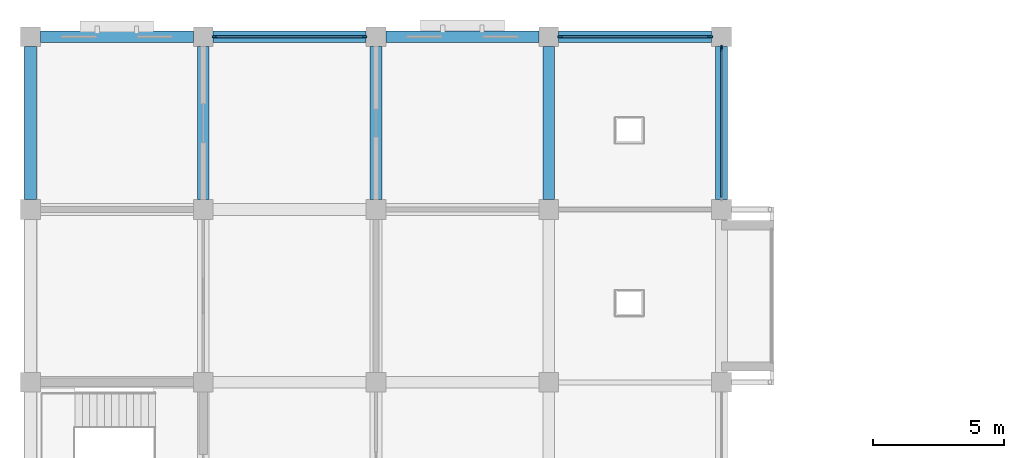
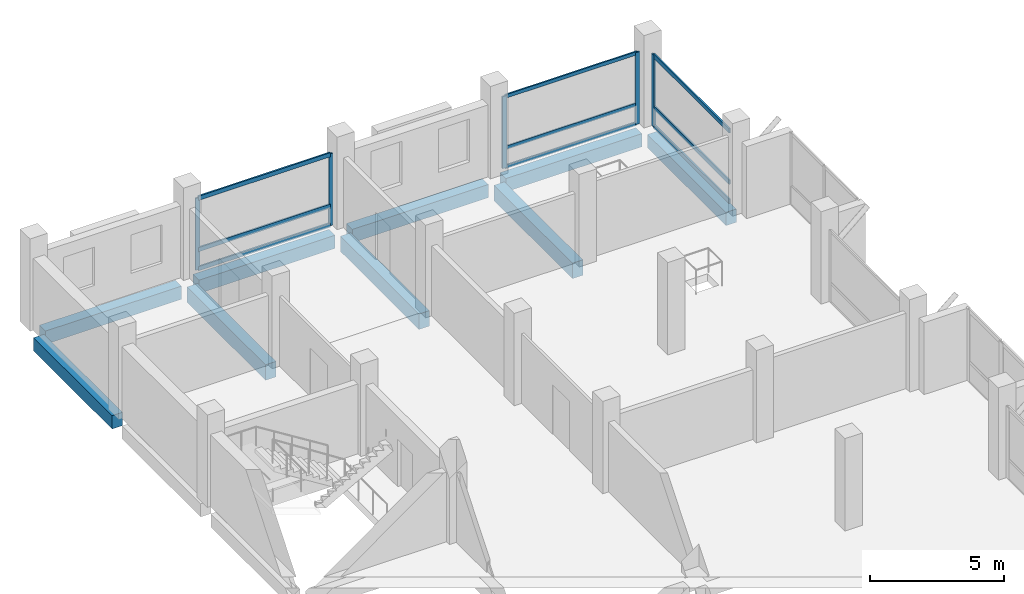
# One storey, part 7 of 18: 14 members, 9 beams, 3 elements without a shape of their own.
"""IFC4 building model written with IfcOpenShell, lengths in metres."""

import ifcopenshell
import ifcopenshell.guid

model = None  # the IFC model being written
_history = None  # IfcOwnerHistory: only IFC2X3 demands one
_inside = {}  # id of a spatial element -> (the spatial element, [elements in it])
_under = {}  # id of a project, library or spatial element -> (it, [spatial elements below it])
_declared = {}  # id of a project -> (the project, [libraries it declares])
_typed = {}  # id of a type object -> (the type object, [elements of that type])
_made_of = {}  # id of a material, layer set ... -> (it, [elements and type objects made of it])


def new_model(schema):
    """Start an empty IFC model of exactly this schema.

    Asked for "IFC4X3", IfcOpenShell would pick the latest addendum, in which some entities
    have other attributes; the version numbers below select the first issue.
    IFC2X3 requires an IfcOwnerHistory on every rooted entity: one is made here for all.
    """
    global model, _history
    if schema == "IFC4X3":
        model = ifcopenshell.file(schema_version=(4, 3, 0, 0))
    else:
        model = ifcopenshell.file(schema=schema)
    _inside.clear()
    _under.clear()
    _declared.clear()
    _typed.clear()
    _made_of.clear()
    _history = None
    if model.schema == "IFC2X3":
        org = make("IfcOrganization", Name="unknown")
        user = make(
            "IfcPersonAndOrganization",
            ThePerson=make("IfcPerson", FamilyName="unknown"),
            TheOrganization=org,
        )
        app = make(
            "IfcApplication",
            ApplicationDeveloper=org,
            Version="unknown",
            ApplicationFullName="unknown",
            ApplicationIdentifier="unknown",
        )
        _history = make(
            "IfcOwnerHistory",
            OwningUser=user,
            OwningApplication=app,
            ChangeAction="ADDED",
            CreationDate=0,
        )
    return model


def make(cls, **values):
    """One entity of the class cls with the attributes given. An attribute that is None is left unset."""
    return model.create_entity(
        cls, **{name: value for name, value in values.items() if value is not None}
    )


def rooted(cls, **values):
    """An entity with a GlobalId (a new one), such as an element, a storey or a relation."""
    return make(cls, GlobalId=ifcopenshell.guid.new(), OwnerHistory=_history, **values)


def si_unit(unit_type, name, prefix=None):
    """IfcSIUnit, for example si_unit("LENGTHUNIT", "METRE", prefix="MILLI")."""
    return make("IfcSIUnit", UnitType=unit_type, Prefix=prefix, Name=name)


def assignment(units):
    """IfcUnitAssignment: the units of a project."""
    return None if units is None else make("IfcUnitAssignment", Units=units)


def point(xyz):
    """IfcCartesianPoint."""
    return None if xyz is None else make("IfcCartesianPoint", Coordinates=xyz)


def direction(xyz):
    """IfcDirection."""
    return None if xyz is None else make("IfcDirection", DirectionRatios=xyz)


def frame(location, z_axis=None, x_axis=None):
    """IfcAxis2Placement3D, a coordinate frame: its origin and axes. An axis left out is left unset."""
    return make(
        "IfcAxis2Placement3D",
        Location=point(location),
        Axis=direction(z_axis),
        RefDirection=direction(x_axis),
    )


def frame_2d(location, x_axis=None):
    """IfcAxis2Placement2D, a coordinate frame in the plane: its origin and x axis."""
    return make(
        "IfcAxis2Placement2D", Location=point(location), RefDirection=direction(x_axis)
    )


def origin():
    """The frame at (0, 0, 0) with its axes left unset."""
    return frame((0.0, 0.0, 0.0))


def origin_2d():
    """The frame at (0, 0) in the plane with its x axis left unset."""
    return frame_2d((0.0, 0.0))


def place(relative_to, where):
    """IfcLocalPlacement: puts the frame where relative to a parent placement (None: the world)."""
    return make(
        "IfcLocalPlacement", PlacementRelTo=relative_to, RelativePlacement=where
    )


def context(
    kind, dimensions, precision=None, world=None, true_north=None, identifier=None
):
    """IfcGeometricRepresentationContext, for example the 3D "Model" context."""
    return make(
        "IfcGeometricRepresentationContext",
        ContextIdentifier=identifier,
        ContextType=kind,
        CoordinateSpaceDimension=dimensions,
        Precision=precision,
        WorldCoordinateSystem=world,
        TrueNorth=true_north,
    )


def subcontext(parent, identifier, kind, view, scale=None):
    """IfcGeometricRepresentationSubContext, for example "Body" below "Model"."""
    return make(
        "IfcGeometricRepresentationSubContext",
        ContextIdentifier=identifier,
        ContextType=kind,
        ParentContext=parent,
        TargetScale=scale,
        TargetView=view,
    )


def project(units=None, contexts=None):
    """IfcProject with its units and contexts."""
    return rooted(
        "IfcProject",
        Name="project",
        RepresentationContexts=contexts,
        UnitsInContext=assignment(units),
    )


def spatial(cls, under=None, at=None, **own):
    """A site, building, storey or space (cls), placed at a placement, below another one or the project."""
    s = rooted(cls, ObjectPlacement=at, **own)
    if under is not None:
        _under.setdefault(under.id(), (under, []))[1].append(s)
    return s


def profile(cls, at=None, kind="AREA", **sizes):
    """A parametric profile (cls). Its sizes go by their IFC names, for example OverallWidth=200.0."""
    return make(cls, ProfileType=kind, Position=at, **sizes)


def rectangle(**sizes):
    """IfcRectangleProfileDef."""
    return profile("IfcRectangleProfileDef", **sizes)


def extrude(swept, where, along, depth):
    """IfcExtrudedAreaSolid: the profile swept, set in the frame where, extruded along a direction by depth."""
    return make(
        "IfcExtrudedAreaSolid",
        SweptArea=swept,
        Position=where,
        ExtrudedDirection=direction(along),
        Depth=depth,
    )


def shape(context_of_items, identifier, shape_type, items):
    """IfcShapeRepresentation: the items that make up one representation, for example the "Body"."""
    return make(
        "IfcShapeRepresentation",
        ContextOfItems=context_of_items,
        RepresentationIdentifier=identifier,
        RepresentationType=shape_type,
        Items=items,
    )


def material(Name=None, Category=None):
    """IfcMaterial."""
    return make("IfcMaterial", Name=Name, Category=Category)


def material_profile(
    of_material, cross_section, Name=None, Category=None, Priority=None
):
    """IfcMaterialProfile: a cross section and its material."""
    return make(
        "IfcMaterialProfile",
        Name=Name,
        Material=of_material,
        Profile=cross_section,
        Priority=Priority,
        Category=Category,
    )


def profile_set(profiles, Name=None, composite=None):
    """IfcMaterialProfileSet."""
    return make(
        "IfcMaterialProfileSet",
        Name=Name,
        MaterialProfiles=profiles,
        CompositeProfile=composite,
    )


def made_of(thing, what):
    """Note that an element or type object is made of a material, layer set ...; save() writes the relation."""
    if what is not None:
        _made_of.setdefault(what.id(), (what, []))[1].append(thing)
    return thing


def type_object(cls, material=None, **own):
    """A type object (cls), such as IfcWallType, which elements share."""
    return made_of(rooted(cls, **own), material)


def element(
    cls,
    number,
    at=None,
    inside=None,
    cuts=None,
    type_object=None,
    material=None,
    context=None,
    identifier="Body",
    shape_type=None,
    held_by="IfcProductDefinitionShape",
    body=None,
    shapes=None,
    **own,
):
    """One element of the class cls, such as IfcWall. Its Tag is "e" and its number.

    at: its placement. inside: the storey or other place that contains it. cuts: it is an
    opening in that element (IfcRelVoidsElement). A single representation is given by context,
    identifier, shape_type and body (its items); several are given by shapes. held_by: the class
    of the entity that holds the representations. save() writes the other relations.
    """
    e = rooted(cls, Tag="e%d" % number, ObjectPlacement=at, **own)
    if body is not None:
        shapes = [shape(context, identifier, shape_type, body)]
    if shapes is not None:
        e.Representation = make(held_by, Representations=shapes)
    if inside is not None:
        _inside.setdefault(inside.id(), (inside, []))[1].append(e)
    if cuts is not None:
        rooted(
            "IfcRelVoidsElement", RelatingBuildingElement=cuts, RelatedOpeningElement=e
        )
    if type_object is not None:
        _typed.setdefault(type_object.id(), (type_object, []))[1].append(e)
    return made_of(e, material)


def aggregate(whole, parts):
    """IfcRelAggregates: a whole, such as a stair, and the parts it consists of."""
    return rooted("IfcRelAggregates", RelatingObject=whole, RelatedObjects=parts)


def save(model, path):
    """Write the relations noted so far, then the file.

    IfcRelAggregates (storeys below a building ...), IfcRelContainedInSpatialStructure (elements
    in a storey), IfcRelDefinesByType, IfcRelAssociatesMaterial and IfcRelDeclares: one each for
    every whole, place, type object, material and project.
    """
    for whole, parts in _under.values():
        aggregate(whole, parts)
    for where, things in _inside.values():
        rooted(
            "IfcRelContainedInSpatialStructure",
            RelatedElements=things,
            RelatingStructure=where,
        )
    for kind, things in _typed.values():
        rooted("IfcRelDefinesByType", RelatedObjects=things, RelatingType=kind)
    for what, things in _made_of.values():
        rooted("IfcRelAssociatesMaterial", RelatedObjects=things, RelatingMaterial=what)
    for by, libraries in _declared.values():
        rooted("IfcRelDeclares", RelatingContext=by, RelatedDefinitions=libraries)
    model.write(path)


model = new_model("IFC4")

# Units and contexts
model_context = context("Model", 3, precision=1e-05, world=origin(), true_north=direction((0.0, 1.0)))
body_context = subcontext(model_context, "Body", "Model", "MODEL_VIEW")
ifc_project = project(units=[si_unit("LENGTHUNIT", "METRE"), si_unit("AREAUNIT", "SQUARE_METRE"), si_unit("VOLUMEUNIT", "CUBIC_METRE"), si_unit("PLANEANGLEUNIT", "RADIAN"), si_unit("MASSUNIT", "GRAM", prefix="KILO")], contexts=[model_context])

# Site, building, storey
site_placement = place(None, origin())
site = spatial("IfcSite", under=ifc_project, at=site_placement, CompositionType="ELEMENT")
building_placement = place(site_placement, origin())
building = spatial("IfcBuilding", under=site, at=building_placement, Name="Rusizi Kubbe Research Institute", CompositionType="ELEMENT")
storey_placement = place(building_placement, frame((0.0, 0.0, 22.800048828125)))
storey = spatial("IfcBuildingStorey", under=building, at=storey_placement, Name="L05", CompositionType="ELEMENT", Elevation=22.800048828125)

# Beams
ifc_material_1 = material(Name="Concrete C40/50", Category="concrete")
ifc_material_profile_1 = material_profile(ifc_material_1, rectangle(XDim=0.449951171875, YDim=0.60009765625, at=origin_2d()), Name="RC450x600")
ifc_profile_set_1 = profile_set([ifc_material_profile_1], Name="Concrete C40/50")
beam_type_1 = type_object("IfcBeamType", Name="BM-RC450x600", PredefinedType="SPANDREL", material=ifc_profile_set_1)
beam_1_placement = place(storey_placement, frame((0.375, 85.800048828125, -0.64013671875), z_axis=(1.0, 0.0, 0.0), x_axis=(0.0, 1.0, 0.0)))
element("IfcBeam", 1, at=beam_1_placement, inside=storey, type_object=beam_type_1, Name="Grid Beam H L05 (0,13)", PredefinedType="SPANDREL", context=body_context, shape_type="SweptSolid", body=[
    extrude(rectangle(XDim=0.449951171875, YDim=0.60009765625, at=origin_2d()), origin(), (0.0, 0.0, 1.0), 5.85009765625),
])
beam_2_placement = place(storey_placement, frame((6.97509765625, 85.800048828125, -0.64013671875), z_axis=(1.0, 0.0, 0.0), x_axis=(0.0, 1.0, 0.0)))
element("IfcBeam", 2, at=beam_2_placement, inside=storey, type_object=beam_type_1, Name="Grid Beam H L05 (1,13)", PredefinedType="SPANDREL", context=body_context, shape_type="SweptSolid", body=[
    extrude(rectangle(XDim=0.449951171875, YDim=0.60009765625, at=origin_2d()), origin(), (0.0, 0.0, 1.0), 5.849853515625),
])
beam_3_placement = place(storey_placement, frame((13.574951171875, 85.800048828125, -0.64013671875), z_axis=(1.0, 0.0, 0.0), x_axis=(0.0, 1.0, 0.0)))
element("IfcBeam", 3, at=beam_3_placement, inside=storey, type_object=beam_type_1, Name="Grid Beam H L05 (2,13)", PredefinedType="SPANDREL", context=body_context, shape_type="SweptSolid", body=[
    extrude(rectangle(XDim=0.449951171875, YDim=0.60009765625, at=origin_2d()), origin(), (0.0, 0.0, 1.0), 5.85009765625),
])
beam_4_placement = place(storey_placement, frame((20.175048828125, 85.800048828125, -0.64013671875), z_axis=(1.0, 0.0, 0.0), x_axis=(0.0, 1.0, 0.0)))
element("IfcBeam", 4, at=beam_4_placement, inside=storey, type_object=beam_type_1, Name="Grid Beam H L05 (3,13)", PredefinedType="SPANDREL", context=body_context, shape_type="SweptSolid", body=[
    extrude(rectangle(XDim=0.449951171875, YDim=0.60009765625, at=origin_2d()), origin(), (0.0, 0.0, 1.0), 5.849853515625),
])
for number, where, z_axis, x_axis, name in (
    (5, (0.0, 79.574951171875, -0.64013671875), (0.0, 1.0, 0.0), (-1.0, 0.0, 0.0), "Grid Beam V L05 (0,12)"),
    (6, (26.39990234375, 79.574951171875, -0.64013671875), (0.0, 1.0, 0.0), (-1.0, 0.0, 0.0), "Grid Beam V L05 (4,12)"),
):
    element("IfcBeam", number, at=place(storey_placement, frame(where, z_axis=z_axis, x_axis=x_axis)), inside=storey, type_object=beam_type_1, Name=name, PredefinedType="SPANDREL", context=body_context, shape_type="SweptSolid", body=[
        extrude(rectangle(XDim=0.449951171875, YDim=0.60009765625, at=origin_2d()), origin(), (0.0, 0.0, 1.0), 5.85009765625),
    ])
ifc_material_2 = material(Name="Concrete C40/50", Category="concrete")
ifc_material_profile_2 = material_profile(ifc_material_2, rectangle(XDim=0.449951171875, YDim=0.699951171875, at=origin_2d()), Name="RC450x700B")
ifc_profile_set_2 = profile_set([ifc_material_profile_2], Name="Concrete C40/50")
beam_type_2 = type_object("IfcBeamType", Name="BM-RC450x700", PredefinedType="BEAM", material=ifc_profile_set_2)
for number, where, z_axis, x_axis, name in (
    (7, (6.60009765625, 79.574951171875, -0.68994140625), (0.0, 1.0, 0.0), (-1.0, 0.0, 0.0), "Grid Beam V L05 (1,12)"),
    (8, (13.199951171875, 79.574951171875, -0.68994140625), (0.0, 1.0, 0.0), (-1.0, 0.0, 0.0), "Grid Beam V L05 (2,12)"),
    (9, (19.800048828125, 79.574951171875, -0.68994140625), (0.0, 1.0, 0.0), (-1.0, 0.0, 0.0), "Grid Beam V L05 (3,12)"),
):
    element("IfcBeam", number, at=place(storey_placement, frame(where, z_axis=z_axis, x_axis=x_axis)), inside=storey, type_object=beam_type_2, Name=name, PredefinedType="BEAM", context=body_context, shape_type="SweptSolid", body=[
        extrude(rectangle(XDim=0.449951171875, YDim=0.699951171875, at=origin_2d()), origin(), (0.0, 0.0, 1.0), 5.85009765625),
    ])

# Curtain wall, members
ifc_material_3 = material(Name="Thermally Broken Aluminium and Low-E Glazing", Category="aluminium")
curtain_wall_type_1 = type_object("IfcCurtainWallType", Name="CW-08", PredefinedType="NOTDEFINED", material=ifc_material_3)
curtain_wall_1_placement = place(storey_placement, origin())
curtain_wall_1 = element("IfcCurtainWall", 10, at=curtain_wall_1_placement, inside=storey, type_object=curtain_wall_type_1, Name="Unitised Facade Curtain Wall CW-L05-H-01-13", PredefinedType="NOTDEFINED")
ifc_material_4 = material(Name="Aluminium Alloy 6063-T6", Category="aluminium")
ifc_material_profile_3 = material_profile(ifc_material_4, rectangle(XDim=0.06005859375, YDim=0.179931640625, at=origin_2d()), Name="ALU-M 60x180")
ifc_profile_set_3 = profile_set([ifc_material_profile_3], Name="Aluminium Alloy 6063-T6")
member_type_1 = type_object("IfcMemberType", Name="ML-02", PredefinedType="MULLION", material=ifc_profile_set_3)
member_1_placement = place(storey_placement, frame((7.034912109375, 85.800048828125, 0.0), z_axis=(0.0, 0.0, 1.0), x_axis=(0.0, 1.0, 0.0)))
member_1 = element("IfcMember", 11, at=member_1_placement, type_object=member_type_1, Name="CW-08 mullion 1", PredefinedType="MULLION", context=body_context, shape_type="SweptSolid", body=[
    extrude(rectangle(XDim=0.06005859375, YDim=0.179931640625, at=origin_2d()), origin(), (0.0, 0.0, 1.0), 3.27001953125),
])
member_2_placement = place(storey_placement, frame((12.764892578125, 85.800048828125, 0.0), z_axis=(0.0, 0.0, 1.0), x_axis=(0.0, 1.0, 0.0)))
member_2 = element("IfcMember", 12, at=member_2_placement, type_object=member_type_1, Name="CW-08 mullion 2", PredefinedType="MULLION", context=body_context, shape_type="SweptSolid", body=[
    extrude(rectangle(XDim=0.06005859375, YDim=0.179931640625, at=origin_2d()), origin(), (0.0, 0.0, 1.0), 3.27001953125),
])

ifc_material_5 = material(Name="Thermally Broken Aluminium and Low-E Glazing", Category="aluminium")
curtain_wall_type_2 = type_object("IfcCurtainWallType", Name="CW-09", PredefinedType="NOTDEFINED", material=ifc_material_5)
curtain_wall_2_placement = place(storey_placement, origin())
curtain_wall_2 = element("IfcCurtainWall", 13, at=curtain_wall_2_placement, inside=storey, type_object=curtain_wall_type_2, Name="Unitised Facade Curtain Wall CW-L05-H-03-13", PredefinedType="NOTDEFINED")
ifc_material_6 = material(Name="Aluminium Alloy 6063-T6", Category="aluminium")
ifc_material_profile_4 = material_profile(ifc_material_6, rectangle(XDim=0.06494140625, YDim=0.199951171875, at=origin_2d()), Name="ALU-M 65x200")
ifc_profile_set_4 = profile_set([ifc_material_profile_4], Name="Aluminium Alloy 6063-T6")
member_type_2 = type_object("IfcMemberType", Name="ML-03", PredefinedType="MULLION", material=ifc_profile_set_4)
member_3_placement = place(storey_placement, frame((20.237548828125, 85.800048828125, 0.0), z_axis=(0.0, 0.0, 1.0), x_axis=(0.0, 1.0, 0.0)))
member_3 = element("IfcMember", 14, at=member_3_placement, type_object=member_type_2, Name="CW-09 mullion 1", PredefinedType="MULLION", context=body_context, shape_type="SweptSolid", body=[
    extrude(rectangle(XDim=0.06494140625, YDim=0.199951171875, at=origin_2d()), origin(), (0.0, 0.0, 1.0), 3.27001953125),
])
member_4_placement = place(storey_placement, frame((25.96240234375, 85.800048828125, 0.0), z_axis=(0.0, 0.0, 1.0), x_axis=(0.0, 1.0, 0.0)))
member_4 = element("IfcMember", 15, at=member_4_placement, type_object=member_type_2, Name="CW-09 mullion 2", PredefinedType="MULLION", context=body_context, shape_type="SweptSolid", body=[
    extrude(rectangle(XDim=0.06494140625, YDim=0.199951171875, at=origin_2d()), origin(), (0.0, 0.0, 1.0), 3.27001953125),
])

# Curtain wall, member
curtain_wall_3_placement = place(storey_placement, origin())
curtain_wall_3 = element("IfcCurtainWall", 16, at=curtain_wall_3_placement, inside=storey, type_object=curtain_wall_type_1, Name="Unitised Facade Curtain Wall CW-L05-V-04-12", PredefinedType="NOTDEFINED")
ifc_material_7 = material(Name="Aluminium Alloy 6063-T6", Category="aluminium")
ifc_material_profile_5 = material_profile(ifc_material_7, rectangle(XDim=0.070068359375, YDim=0.219970703125, at=origin_2d()), Name="ALU-M 70x220")
ifc_profile_set_5 = profile_set([ifc_material_profile_5], Name="Aluminium Alloy 6063-T6")
member_type_3 = type_object("IfcMemberType", Name="ML-04", PredefinedType="MULLION", material=ifc_profile_set_5)
member_5_placement = place(storey_placement, frame((26.39990234375, 85.360107421875, 0.0), z_axis=(0.0, 0.0, 1.0), x_axis=(-1.0, 0.0, 0.0)))
member_5 = element("IfcMember", 17, at=member_5_placement, type_object=member_type_3, Name="CW-08 mullion 2", PredefinedType="MULLION", context=body_context, shape_type="SweptSolid", body=[
    extrude(rectangle(XDim=0.070068359375, YDim=0.219970703125, at=origin_2d()), origin(), (0.0, 0.0, 1.0), 3.27001953125),
])

# Member
ifc_material_8 = material(Name="Aluminium Alloy 6063-T6", Category="aluminium")
ifc_material_profile_6 = material_profile(ifc_material_8, rectangle(XDim=0.06494140625, YDim=0.159912109375, at=origin_2d()), Name="ALU-T 65x160")
ifc_profile_set_6 = profile_set([ifc_material_profile_6], Name="Aluminium Alloy 6063-T6")
member_type_4 = type_object("IfcMemberType", Name="TR-03", PredefinedType="USERDEFINED", material=ifc_profile_set_6)
member_6_placement = place(storey_placement, frame((20.27001953125, 85.800048828125, 0.032470703125), z_axis=(1.0, 0.0, 0.0), x_axis=(0.0, 1.0, 0.0)))
member_6 = element("IfcMember", 18, at=member_6_placement, type_object=member_type_4, Name="CW-09 transom 1.1", ObjectType="TRANSOM", PredefinedType="USERDEFINED", context=body_context, shape_type="SweptSolid", body=[
    extrude(rectangle(XDim=0.06494140625, YDim=0.159912109375, at=origin_2d()), origin(), (0.0, 0.0, 1.0), 5.659912109375),
])

member_7_placement = place(storey_placement, frame((20.27001953125, 85.800048828125, 0.89990234375), z_axis=(1.0, 0.0, 0.0), x_axis=(0.0, 1.0, 0.0)))
member_7 = element("IfcMember", 19, at=member_7_placement, type_object=member_type_4, Name="CW-09 transom 1.2", ObjectType="TRANSOM", PredefinedType="USERDEFINED", context=body_context, shape_type="SweptSolid", body=[
    extrude(rectangle(XDim=0.06494140625, YDim=0.159912109375, at=origin_2d()), origin(), (0.0, 0.0, 1.0), 5.659912109375),
])

member_8_placement = place(storey_placement, frame((20.27001953125, 85.800048828125, 3.237548828125), z_axis=(1.0, 0.0, 0.0), x_axis=(0.0, 1.0, 0.0)))
member_8 = element("IfcMember", 20, at=member_8_placement, type_object=member_type_4, Name="CW-09 transom 1.3", ObjectType="TRANSOM", PredefinedType="USERDEFINED", context=body_context, shape_type="SweptSolid", body=[
    extrude(rectangle(XDim=0.06494140625, YDim=0.159912109375, at=origin_2d()), origin(), (0.0, 0.0, 1.0), 5.659912109375),
])

aggregate(curtain_wall_2, [member_3, member_4, member_6, member_7, member_8])

ifc_material_9 = material(Name="Aluminium Alloy 6063-T6", Category="aluminium")
ifc_material_profile_7 = material_profile(ifc_material_9, rectangle(XDim=0.070068359375, YDim=0.18994140625, at=origin_2d()), Name="ALU-T 70x190")
ifc_profile_set_7 = profile_set([ifc_material_profile_7], Name="Aluminium Alloy 6063-T6")
member_type_5 = type_object("IfcMemberType", Name="TR-04", PredefinedType="USERDEFINED", material=ifc_profile_set_7)
member_9_placement = place(storey_placement, frame((7.06494140625, 85.800048828125, 0.034912109375), z_axis=(1.0, 0.0, 0.0), x_axis=(0.0, 1.0, 0.0)))
member_9 = element("IfcMember", 21, at=member_9_placement, type_object=member_type_5, Name="CW-08 transom 1.1", ObjectType="TRANSOM", PredefinedType="USERDEFINED", context=body_context, shape_type="SweptSolid", body=[
    extrude(rectangle(XDim=0.070068359375, YDim=0.18994140625, at=origin_2d()), origin(), (0.0, 0.0, 1.0), 5.670166015625),
])

member_10_placement = place(storey_placement, frame((7.06494140625, 85.800048828125, 0.89990234375), z_axis=(1.0, 0.0, 0.0), x_axis=(0.0, 1.0, 0.0)))
member_10 = element("IfcMember", 22, at=member_10_placement, type_object=member_type_5, Name="CW-08 transom 1.2", ObjectType="TRANSOM", PredefinedType="USERDEFINED", context=body_context, shape_type="SweptSolid", body=[
    extrude(rectangle(XDim=0.070068359375, YDim=0.18994140625, at=origin_2d()), origin(), (0.0, 0.0, 1.0), 5.670166015625),
])

member_11_placement = place(storey_placement, frame((7.06494140625, 85.800048828125, 3.23486328125), z_axis=(1.0, 0.0, 0.0), x_axis=(0.0, 1.0, 0.0)))
member_11 = element("IfcMember", 23, at=member_11_placement, type_object=member_type_5, Name="CW-08 transom 1.3", ObjectType="TRANSOM", PredefinedType="USERDEFINED", context=body_context, shape_type="SweptSolid", body=[
    extrude(rectangle(XDim=0.070068359375, YDim=0.18994140625, at=origin_2d()), origin(), (0.0, 0.0, 1.0), 5.670166015625),
])

aggregate(curtain_wall_1, [member_1, member_2, member_9, member_10, member_11])

member_12_placement = place(storey_placement, frame((26.39990234375, 79.675048828125, 0.034912109375), z_axis=(0.0, 1.0, 0.0), x_axis=(-1.0, 0.0, 0.0)))
member_12 = element("IfcMember", 24, at=member_12_placement, type_object=member_type_5, Name="CW-08 transom 1.1", ObjectType="TRANSOM", PredefinedType="USERDEFINED", context=body_context, shape_type="SweptSolid", body=[
    extrude(rectangle(XDim=0.070068359375, YDim=0.18994140625, at=origin_2d()), origin(), (0.0, 0.0, 1.0), 5.64990234375),
])

member_13_placement = place(storey_placement, frame((26.39990234375, 79.675048828125, 0.89990234375), z_axis=(0.0, 1.0, 0.0), x_axis=(-1.0, 0.0, 0.0)))
member_13 = element("IfcMember", 25, at=member_13_placement, type_object=member_type_5, Name="CW-08 transom 1.2", ObjectType="TRANSOM", PredefinedType="USERDEFINED", context=body_context, shape_type="SweptSolid", body=[
    extrude(rectangle(XDim=0.070068359375, YDim=0.18994140625, at=origin_2d()), origin(), (0.0, 0.0, 1.0), 5.64990234375),
])

member_14_placement = place(storey_placement, frame((26.39990234375, 79.675048828125, 3.23486328125), z_axis=(0.0, 1.0, 0.0), x_axis=(-1.0, 0.0, 0.0)))
member_14 = element("IfcMember", 26, at=member_14_placement, type_object=member_type_5, Name="CW-08 transom 1.3", ObjectType="TRANSOM", PredefinedType="USERDEFINED", context=body_context, shape_type="SweptSolid", body=[
    extrude(rectangle(XDim=0.070068359375, YDim=0.18994140625, at=origin_2d()), origin(), (0.0, 0.0, 1.0), 5.64990234375),
])

aggregate(curtain_wall_3, [member_5, member_12, member_13, member_14])

save(model, "model.ifc")
